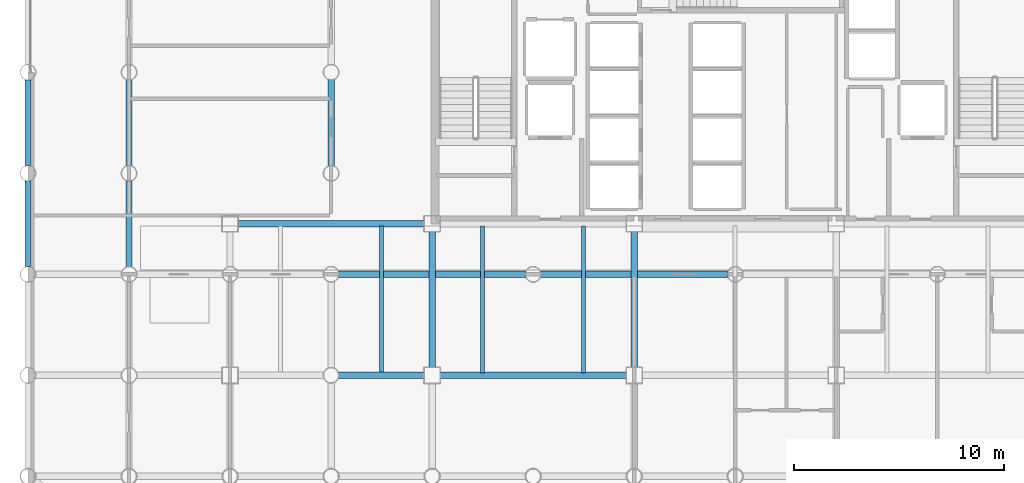
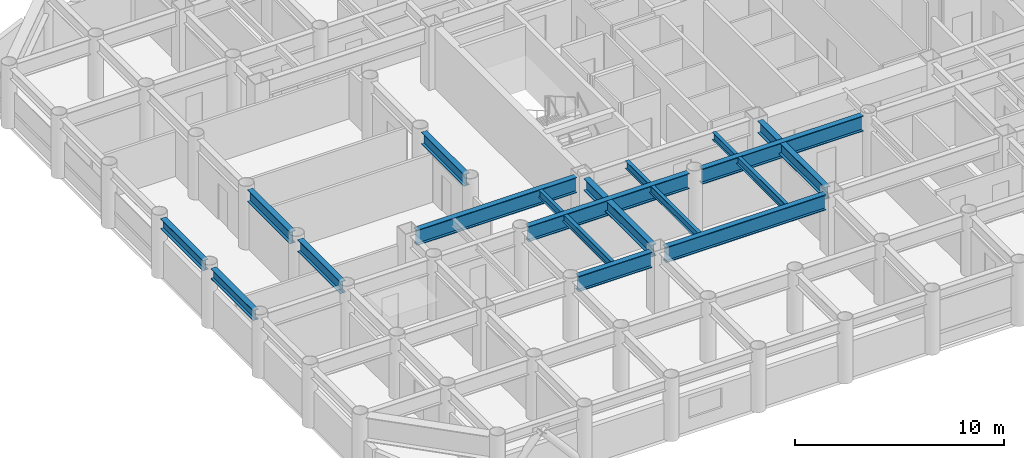
# One storey, part 3 of 22: 15 beams.
"""IFC4 building model written with IfcOpenShell, lengths in metres."""

from ifc_helpers import new_model, si_unit, direction, frame, origin, origin_2d, place, context, subcontext, project, spatial, i_section, extrude, material, material_profile, profile_set, type_object, element, save


model = new_model("IFC4")

# Units and contexts
model_context = context("Model", 3, precision=1e-05, world=origin(), true_north=direction((0.0, 1.0)))
body_context = subcontext(model_context, "Body", "Model", "MODEL_VIEW")
ifc_project = project(units=[si_unit("LENGTHUNIT", "METRE"), si_unit("AREAUNIT", "SQUARE_METRE"), si_unit("VOLUMEUNIT", "CUBIC_METRE"), si_unit("PLANEANGLEUNIT", "RADIAN"), si_unit("MASSUNIT", "GRAM", prefix="KILO")], contexts=[model_context])

# Site, building, storey
site_placement = place(None, origin())
site = spatial("IfcSite", under=ifc_project, at=site_placement, CompositionType="ELEMENT")
building_placement = place(site_placement, origin())
building = spatial("IfcBuilding", under=site, at=building_placement, Name="Kallvorn Hotel Tower", CompositionType="ELEMENT")
storey_placement = place(building_placement, frame((0.0, 0.0, 48.5)))
storey = spatial("IfcBuildingStorey", under=building, at=storey_placement, Name="L10", CompositionType="ELEMENT", Elevation=48.5)

# Beams
ifc_material_1 = material(Name="Structural steel S355JR", Category="steel")
ifc_material_profile_1 = material_profile(ifc_material_1, i_section(OverallWidth=0.300048828125, OverallDepth=0.60009765625, WebThickness=0.015380859375, FlangeThickness=0.030029296875, at=origin_2d()), Name="HE 600 B")
ifc_profile_set_1 = profile_set([ifc_material_profile_1], Name="Structural steel S355JR")
beam_type_1 = type_object("IfcBeamType", Name="BM_HE600B", PredefinedType="SPANDREL", material=ifc_profile_set_1)
beam_1_placement = place(storey_placement, frame((-33.60009765625, -9.22900390625, 3.219970703125), z_axis=(0.0, 1.0, 0.0), x_axis=(-1.0, 0.0, 0.0)))
element("IfcBeam", 1, at=beam_1_placement, inside=storey, type_object=beam_type_1, Name="L11 Perimeter Spandrel 176", PredefinedType="SPANDREL", context=body_context, shape_type="SweptSolid", body=[
    extrude(i_section(OverallWidth=0.300048828125, OverallDepth=0.60009765625, WebThickness=0.015380859375, FlangeThickness=0.030029296875, at=origin_2d()), origin(), (0.0, 0.0, 1.0), 4.05810546875),
])
beam_2_placement = place(storey_placement, frame((-33.60009765625, -4.428955078125, 3.219970703125), z_axis=(0.0, 1.0, 0.0), x_axis=(-1.0, 0.0, 0.0)))
element("IfcBeam", 2, at=beam_2_placement, inside=storey, type_object=beam_type_1, Name="L11 Perimeter Spandrel 177", PredefinedType="SPANDREL", context=body_context, shape_type="SweptSolid", body=[
    extrude(i_section(OverallWidth=0.300048828125, OverallDepth=0.60009765625, WebThickness=0.015380859375, FlangeThickness=0.030029296875, at=origin_2d()), origin(), (0.0, 0.0, 1.0), 4.057861328125),
])
ifc_material_2 = material(Name="Structural steel S355JR", Category="steel")
ifc_material_profile_2 = material_profile(ifc_material_2, i_section(OverallWidth=0.300048828125, OverallDepth=0.699951171875, WebThickness=0.01708984375, FlangeThickness=0.031982421875, at=origin_2d()), Name="HE 700 B")
ifc_profile_set_2 = profile_set([ifc_material_profile_2], Name="Structural steel S355JR")
beam_type_2 = type_object("IfcBeamType", Name="BM_HE700B", PredefinedType="BEAM", material=ifc_profile_set_2)
beam_3_placement = place(storey_placement, frame((-28.800048828125, -9.243896484375, 3.169921875), z_axis=(0.0, 1.0, 0.0), x_axis=(-1.0, 0.0, 0.0)))
element("IfcBeam", 3, at=beam_3_placement, inside=storey, type_object=beam_type_2, Name="L11 Primary Y-Girder 76", PredefinedType="BEAM", context=body_context, shape_type="SweptSolid", body=[
    extrude(i_section(OverallWidth=0.300048828125, OverallDepth=0.699951171875, WebThickness=0.01708984375, FlangeThickness=0.031982421875, at=origin_2d()), origin(), (0.0, 0.0, 1.0), 4.087890625),
])
for number, where, z_axis, x_axis, name in (
    (4, (-28.800048828125, -4.444091796875, 3.169921875), (0.0, 1.0, 0.0), (-1.0, 0.0, 0.0), "L11 Primary Y-Girder 77"),
    (5, (-19.199951171875, -4.444091796875, 3.169921875), (0.0, 1.0, 0.0), (-1.0, 0.0, 0.0), "L11 Primary Y-Girder 93"),
):
    element("IfcBeam", number, at=place(storey_placement, frame(where, z_axis=z_axis, x_axis=x_axis)), inside=storey, type_object=beam_type_2, Name=name, PredefinedType="BEAM", context=body_context, shape_type="SweptSolid", body=[
        extrude(i_section(OverallWidth=0.300048828125, OverallDepth=0.699951171875, WebThickness=0.01708984375, FlangeThickness=0.031982421875, at=origin_2d()), origin(), (0.0, 0.0, 1.0), 4.088134765625),
    ])
for number, where, z_axis, x_axis, name in (
    (6, (-14.39990234375, -14.02490234375, 3.169921875), (0.0, 1.0, 0.0), (-1.0, 0.0, 0.0), "L11 Primary Y-Girder 100"),
    (7, (-4.800048828125, -14.02490234375, 3.169921875), (0.0, 1.0, 0.0), (-1.0, 0.0, 0.0), "L11 Primary Y-Girder 108"),
):
    element("IfcBeam", number, at=place(storey_placement, frame(where, z_axis=z_axis, x_axis=x_axis)), inside=storey, type_object=beam_type_2, Name=name, PredefinedType="BEAM", context=body_context, shape_type="SweptSolid", body=[
        extrude(i_section(OverallWidth=0.300048828125, OverallDepth=0.699951171875, WebThickness=0.01708984375, FlangeThickness=0.031982421875, at=origin_2d()), origin(), (0.0, 0.0, 1.0), 6.449951171875),
    ])
ifc_material_3 = material(Name="Structural steel S355JR", Category="steel")
ifc_material_profile_3 = material_profile(ifc_material_3, i_section(OverallWidth=0.300048828125, OverallDepth=0.89990234375, WebThickness=0.0185546875, FlangeThickness=0.034912109375, at=origin_2d()), Name="HE 900 B")
ifc_profile_set_3 = profile_set([ifc_material_profile_3], Name="Structural steel S355JR")
beam_type_3 = type_object("IfcBeamType", Name="BM_HE900B", PredefinedType="BEAM", material=ifc_profile_set_3)
beam_4_placement = place(storey_placement, frame((-18.843994140625, -14.39990234375, 3.070068359375), z_axis=(1.0, 0.0, 0.0), x_axis=(0.0, 1.0, 0.0)))
element("IfcBeam", 8, at=beam_4_placement, inside=storey, type_object=beam_type_3, Name="L11 Primary X-Girder 17", PredefinedType="BEAM", context=body_context, shape_type="SweptSolid", body=[
    extrude(i_section(OverallWidth=0.300048828125, OverallDepth=0.89990234375, WebThickness=0.0185546875, FlangeThickness=0.034912109375, at=origin_2d()), origin(), (0.0, 0.0, 1.0), 4.069091796875),
])
beam_5_placement = place(storey_placement, frame((-14.02490234375, -14.39990234375, 3.070068359375), z_axis=(1.0, 0.0, 0.0), x_axis=(0.0, 1.0, 0.0)))
element("IfcBeam", 9, at=beam_5_placement, inside=storey, type_object=beam_type_3, Name="L11 Primary X-Girder 18", PredefinedType="BEAM", context=body_context, shape_type="SweptSolid", body=[
    extrude(i_section(OverallWidth=0.300048828125, OverallDepth=0.89990234375, WebThickness=0.0185546875, FlangeThickness=0.034912109375, at=origin_2d()), origin(), (0.0, 0.0, 1.0), 8.849853515625),
])
for number, where, z_axis, x_axis, name in (
    (10, (-18.843994140625, -9.60009765625, 3.070068359375), (1.0, 0.0, 0.0), (0.0, 1.0, 0.0), "L11 Primary X-Girder 27"),
    (11, (-9.243896484375, -9.60009765625, 3.070068359375), (1.0, 0.0, 0.0), (0.0, 1.0, 0.0), "L11 Primary X-Girder 28"),
):
    element("IfcBeam", number, at=place(storey_placement, frame(where, z_axis=z_axis, x_axis=x_axis)), inside=storey, type_object=beam_type_3, Name=name, PredefinedType="BEAM", context=body_context, shape_type="SweptSolid", body=[
        extrude(i_section(OverallWidth=0.300048828125, OverallDepth=0.89990234375, WebThickness=0.0185546875, FlangeThickness=0.034912109375, at=origin_2d()), origin(), (0.0, 0.0, 1.0), 8.887939453125),
    ])
beam_6_placement = place(storey_placement, frame((-23.625, -7.199951171875, 3.070068359375), z_axis=(1.0, 0.0, 0.0), x_axis=(0.0, 1.0, 0.0)))
element("IfcBeam", 12, at=beam_6_placement, inside=storey, type_object=beam_type_3, Name="L11 Primary X-Girder 33", PredefinedType="BEAM", context=body_context, shape_type="SweptSolid", body=[
    extrude(i_section(OverallWidth=0.300048828125, OverallDepth=0.89990234375, WebThickness=0.0185546875, FlangeThickness=0.034912109375, at=origin_2d()), origin(), (0.0, 0.0, 1.0), 8.85009765625),
])
ifc_material_4 = material(Name="Structural steel S355JR", Category="steel")
ifc_material_profile_4 = material_profile(ifc_material_4, i_section(OverallWidth=0.18994140625, OverallDepth=0.449951171875, WebThickness=0.009521484375, FlangeThickness=0.0146484375, at=origin_2d()), Name="IPE 450")
ifc_profile_set_4 = profile_set([ifc_material_profile_4], Name="Structural steel S355JR")
beam_type_4 = type_object("IfcBeamType", Name="BM_IPE450", PredefinedType="JOIST", material=ifc_profile_set_4)
for number, where, z_axis, x_axis, name in (
    (13, (-16.800048828125, -14.300048828125, 3.294921875), (0.0, 1.0, 0.0), (-1.0, 0.0, 0.0), "L11 Secondary Composite Joist 194"),
    (14, (-12.0, -14.300048828125, 3.294921875), (0.0, 1.0, 0.0), (-1.0, 0.0, 0.0), "L11 Secondary Composite Joist 196"),
    (15, (-7.199951171875, -14.300048828125, 3.294921875), (0.0, 1.0, 0.0), (-1.0, 0.0, 0.0), "L11 Secondary Composite Joist 198"),
):
    element("IfcBeam", number, at=place(storey_placement, frame(where, z_axis=z_axis, x_axis=x_axis)), inside=storey, type_object=beam_type_4, Name=name, PredefinedType="JOIST", context=body_context, shape_type="SweptSolid", body=[
        extrude(i_section(OverallWidth=0.18994140625, OverallDepth=0.449951171875, WebThickness=0.009521484375, FlangeThickness=0.0146484375, at=origin_2d()), origin(), (0.0, 0.0, 1.0), 7.0),
    ])

save(model, "model.ifc")
